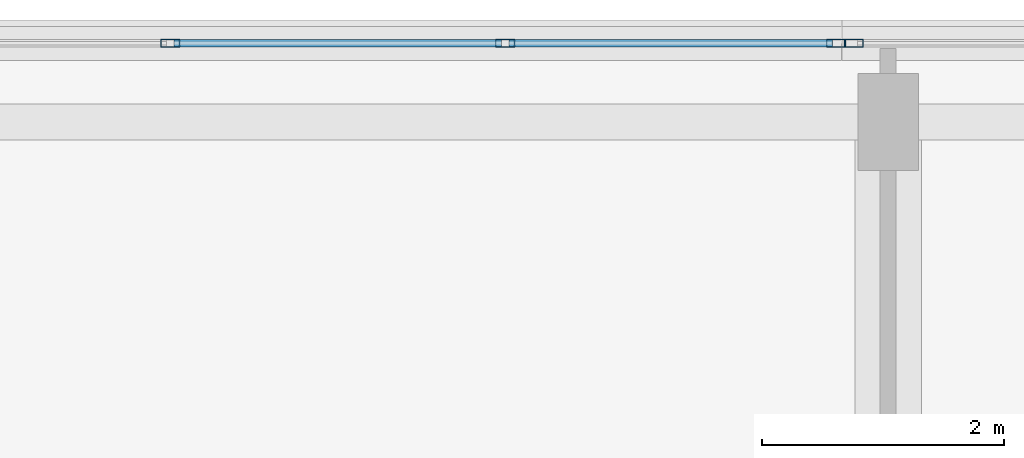
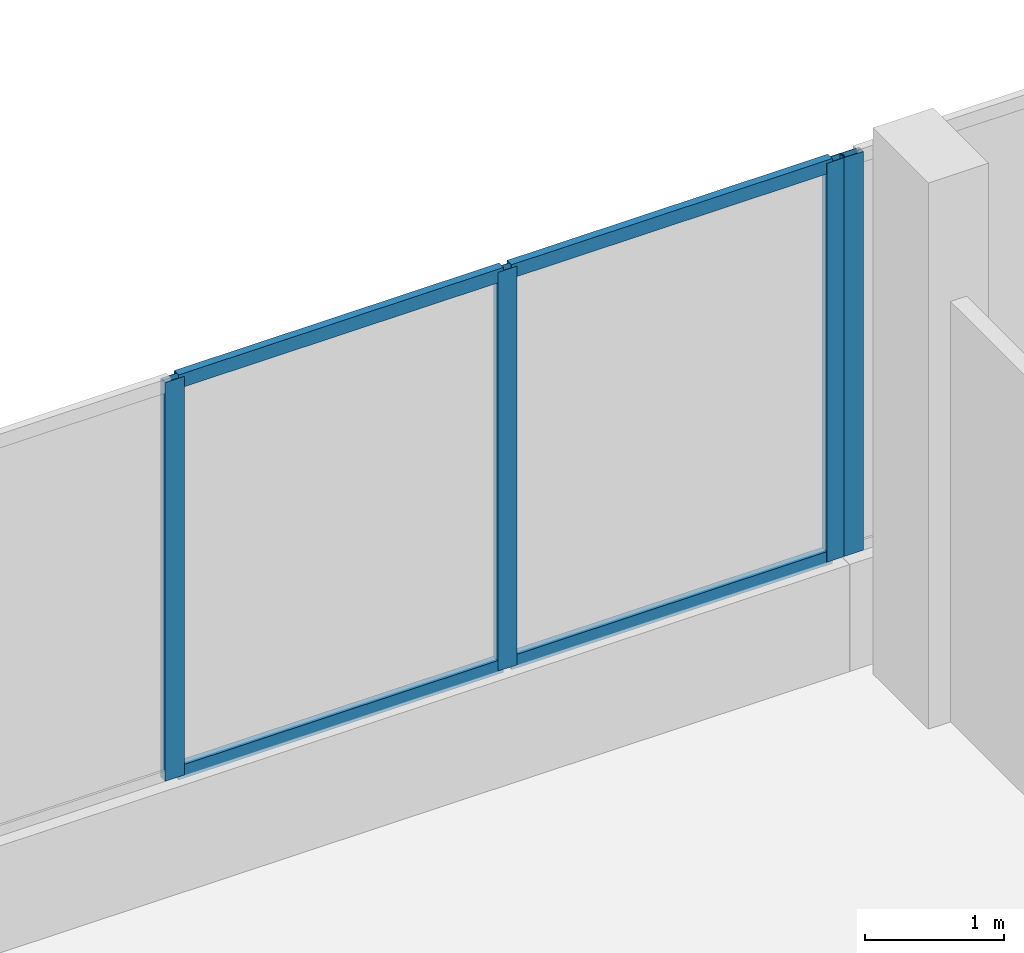
# One storey, part 121 of 168: 8 members, 2 elements without a shape of their own.
"""IFC4 building model written with IfcOpenShell, lengths in metres."""

from ifc_helpers import new_model, si_unit, direction, frame, origin, origin_2d, place, context, subcontext, project, spatial, hollow_rectangle, extrude, material, material_profile, profile_set, type_object, element, aggregate, save


model = new_model("IFC4")

# Units and contexts
model_context = context("Model", 3, precision=1e-05, world=origin(), true_north=direction((0.0, 1.0)))
body_context = subcontext(model_context, "Body", "Model", "MODEL_VIEW")
ifc_project = project(units=[si_unit("LENGTHUNIT", "METRE"), si_unit("AREAUNIT", "SQUARE_METRE"), si_unit("VOLUMEUNIT", "CUBIC_METRE"), si_unit("PLANEANGLEUNIT", "RADIAN"), si_unit("MASSUNIT", "GRAM", prefix="KILO")], contexts=[model_context])

# Site, building, storey
site_placement = place(None, origin())
site = spatial("IfcSite", under=ifc_project, at=site_placement, CompositionType="ELEMENT")
building_placement = place(site_placement, origin())
building = spatial("IfcBuilding", under=site, at=building_placement, Name="Selatvlak General Hospital", CompositionType="ELEMENT")
storey_placement = place(building_placement, frame((0.0, 0.0, 5.39990234375)))
storey = spatial("IfcBuildingStorey", under=building, at=storey_placement, Name="L01", CompositionType="ELEMENT", Elevation=5.39990234375)

# Curtain wall, members
ifc_material_1 = material(Name="Solar-control Low-E double glazing", Category="glass")
curtain_wall_type_1 = type_object("IfcCurtainWallType", Name="CW-CW-01", PredefinedType="USERDEFINED", material=ifc_material_1)
curtain_wall_1_placement = place(storey_placement, origin())
curtain_wall_1 = element("IfcCurtainWall", 1, at=curtain_wall_1_placement, inside=storey, type_object=curtain_wall_type_1, Name="Glazed facade curtain wall CW-L01-0130", ObjectType="UNITISED CURTAIN WALL", PredefinedType="USERDEFINED")
ifc_material_2 = material(Name="Dark anodised aluminium mullion", Category="aluminium")
ifc_material_profile_1 = material_profile(ifc_material_2, hollow_rectangle(XDim=0.06494140625, YDim=0.159912109375, WallThickness=0.00390625, at=origin_2d()), Name="AL-MUL 65x160x4")
ifc_profile_set_1 = profile_set([ifc_material_profile_1], Name="Dark anodised aluminium mullion")
member_type_1 = type_object("IfcMemberType", Name="CWM-01", PredefinedType="MULLION", material=ifc_profile_set_1)
member_1_placement = place(storey_placement, frame((168.070556640625, 120.0, 0.940185546875), z_axis=(0.0, 0.0, 1.0), x_axis=(0.0, 1.0, 0.0)))
member_1 = element("IfcMember", 2, at=member_1_placement, type_object=member_type_1, Name="CW-01 mullion 2", PredefinedType="MULLION", context=body_context, shape_type="SweptSolid", body=[
    extrude(hollow_rectangle(XDim=0.06494140625, YDim=0.159912109375, WallThickness=0.00390625, at=origin_2d()), origin(), (0.0, 0.0, 1.0), 3.5048828125),
])
member_2_placement = place(storey_placement, frame((170.83740234375, 120.0, 0.940185546875), z_axis=(0.0, 0.0, 1.0), x_axis=(0.0, 1.0, 0.0)))
member_2 = element("IfcMember", 3, at=member_2_placement, type_object=member_type_1, Name="CW-01 mullion 3", PredefinedType="MULLION", context=body_context, shape_type="SweptSolid", body=[
    extrude(hollow_rectangle(XDim=0.06494140625, YDim=0.159912109375, WallThickness=0.00390625, at=origin_2d()), origin(), (0.0, 0.0, 1.0), 3.5048828125),
])
member_3_placement = place(storey_placement, frame((173.571533203125, 120.0, 0.940185546875), z_axis=(0.0, 0.0, 1.0), x_axis=(0.0, 1.0, 0.0)))
member_3 = element("IfcMember", 4, at=member_3_placement, type_object=member_type_1, Name="CW-01 mullion 4", PredefinedType="MULLION", context=body_context, shape_type="SweptSolid", body=[
    extrude(hollow_rectangle(XDim=0.06494140625, YDim=0.159912109375, WallThickness=0.00390625, at=origin_2d()), origin(), (0.0, 0.0, 1.0), 3.5048828125),
])

# Curtain wall, member
curtain_wall_type_2 = type_object("IfcCurtainWallType", Name="CW-CW-02", PredefinedType="USERDEFINED", material=ifc_material_1)
curtain_wall_2_placement = place(storey_placement, origin())
curtain_wall_2 = element("IfcCurtainWall", 5, at=curtain_wall_2_placement, inside=storey, type_object=curtain_wall_type_2, Name="Glazed facade curtain wall CW-L01-0131", ObjectType="UNITISED CURTAIN WALL", PredefinedType="USERDEFINED")
member_4_placement = place(storey_placement, frame((173.716552734375, 120.0, 0.940185546875), z_axis=(0.0, 0.0, 1.0), x_axis=(0.0, 1.0, 0.0)))
member_4 = element("IfcMember", 6, at=member_4_placement, type_object=member_type_1, Name="CW-02 mullion 1", PredefinedType="MULLION", context=body_context, shape_type="SweptSolid", body=[
    extrude(hollow_rectangle(XDim=0.06494140625, YDim=0.159912109375, WallThickness=0.00390625, at=origin_2d()), origin(), (0.0, 0.0, 1.0), 3.5048828125),
])
aggregate(curtain_wall_2, [member_4])

# Member
ifc_material_profile_2 = material_profile(ifc_material_2, hollow_rectangle(XDim=0.06494140625, YDim=0.1201171875, WallThickness=0.00390625, at=origin_2d()), Name="AL-TRN 65x120x4")
ifc_profile_set_2 = profile_set([ifc_material_profile_2], Name="Dark anodised aluminium mullion")
member_type_2 = type_object("IfcMemberType", Name="CWT-01", PredefinedType="USERDEFINED", material=ifc_profile_set_2)
member_5_placement = place(storey_placement, frame((168.103271484375, 120.0, 0.97265625), z_axis=(1.0, 0.0, 0.0), x_axis=(0.0, 1.0, 0.0)))
member_5 = element("IfcMember", 7, at=member_5_placement, type_object=member_type_2, Name="CW-01 transom 2.1", ObjectType="TRANSOM", PredefinedType="USERDEFINED", context=body_context, shape_type="SweptSolid", body=[
    extrude(hollow_rectangle(XDim=0.06494140625, YDim=0.1201171875, WallThickness=0.00390625, at=origin_2d()), origin(), (0.0, 0.0, 1.0), 2.70166015625),
])

member_6_placement = place(storey_placement, frame((168.103271484375, 120.0, 4.41259765625), z_axis=(1.0, 0.0, 0.0), x_axis=(0.0, 1.0, 0.0)))
member_6 = element("IfcMember", 8, at=member_6_placement, type_object=member_type_2, Name="CW-01 transom 2.2", ObjectType="TRANSOM", PredefinedType="USERDEFINED", context=body_context, shape_type="SweptSolid", body=[
    extrude(hollow_rectangle(XDim=0.06494140625, YDim=0.1201171875, WallThickness=0.00390625, at=origin_2d()), origin(), (0.0, 0.0, 1.0), 2.70166015625),
])

member_7_placement = place(storey_placement, frame((170.869873046875, 120.0, 0.97265625), z_axis=(1.0, 0.0, 0.0), x_axis=(0.0, 1.0, 0.0)))
member_7 = element("IfcMember", 9, at=member_7_placement, type_object=member_type_2, Name="CW-01 transom 3.1", ObjectType="TRANSOM", PredefinedType="USERDEFINED", context=body_context, shape_type="SweptSolid", body=[
    extrude(hollow_rectangle(XDim=0.06494140625, YDim=0.1201171875, WallThickness=0.00390625, at=origin_2d()), origin(), (0.0, 0.0, 1.0), 2.669189453125),
])

member_8_placement = place(storey_placement, frame((170.869873046875, 120.0, 4.41259765625), z_axis=(1.0, 0.0, 0.0), x_axis=(0.0, 1.0, 0.0)))
member_8 = element("IfcMember", 10, at=member_8_placement, type_object=member_type_2, Name="CW-01 transom 3.2", ObjectType="TRANSOM", PredefinedType="USERDEFINED", context=body_context, shape_type="SweptSolid", body=[
    extrude(hollow_rectangle(XDim=0.06494140625, YDim=0.1201171875, WallThickness=0.00390625, at=origin_2d()), origin(), (0.0, 0.0, 1.0), 2.669189453125),
])

aggregate(curtain_wall_1, [member_1, member_2, member_3, member_5, member_6, member_7, member_8])

save(model, "model.ifc")
